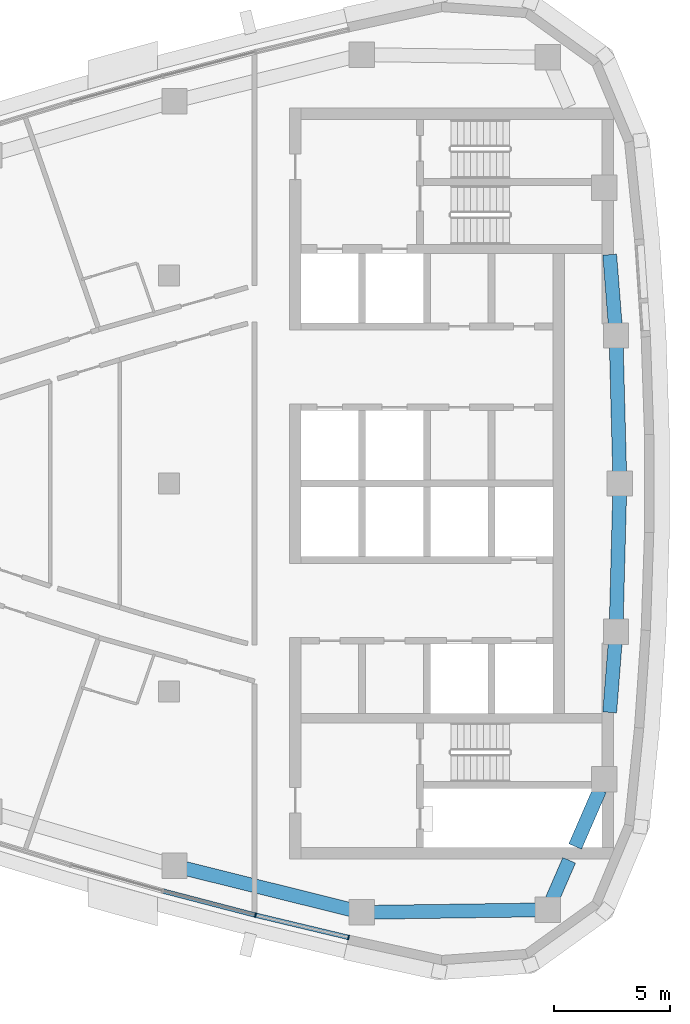
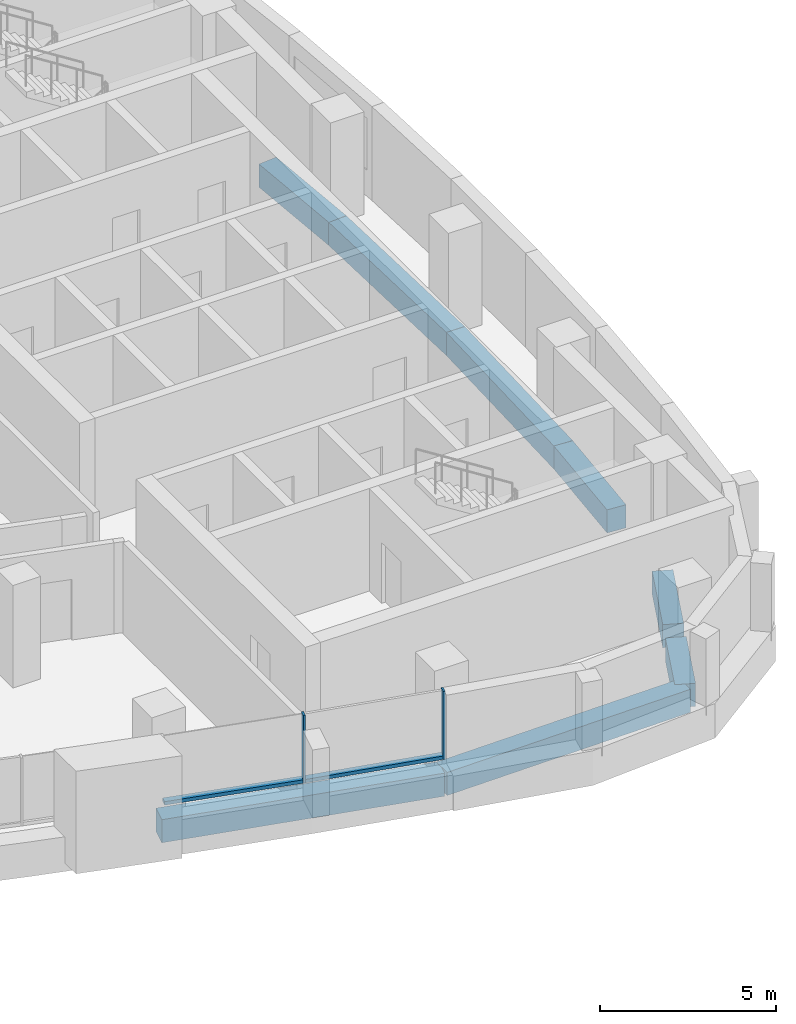
# One storey, part 4 of 14: 8 beams, 4 members, 1 element without a shape of its own.
"""IFC4 building model written with IfcOpenShell, lengths in metres."""

from ifc_helpers import new_model, si_unit, direction, frame, origin, origin_2d, place, context, subcontext, project, spatial, rectangle, extrude, material, layer, layer_set, material_profile, profile_set, type_object, element, aggregate, save


model = new_model("IFC4")

# Units and contexts
model_context = context("Model", 3, precision=1e-05, world=origin(), true_north=direction((0.0, 1.0)))
body_context = subcontext(model_context, "Body", "Model", "MODEL_VIEW")
ifc_project = project(units=[si_unit("LENGTHUNIT", "METRE"), si_unit("AREAUNIT", "SQUARE_METRE"), si_unit("VOLUMEUNIT", "CUBIC_METRE"), si_unit("PLANEANGLEUNIT", "RADIAN"), si_unit("MASSUNIT", "GRAM", prefix="KILO")], contexts=[model_context])

# Site, building, storey
site_placement = place(None, origin())
site = spatial("IfcSite", under=ifc_project, at=site_placement, CompositionType="ELEMENT")
building_placement = place(site_placement, origin())
building = spatial("IfcBuilding", under=site, at=building_placement, Name="Ostrand Prow Hotel Tower", CompositionType="ELEMENT")
storey_placement = place(building_placement, frame((0.0, 0.0, 299.85009765625)))
storey = spatial("IfcBuildingStorey", under=building, at=storey_placement, Name="L76", CompositionType="ELEMENT", Elevation=299.85009765625)

# Beams
ifc_material_1 = material(Name="Concrete C50/60", Category="concrete")
ifc_material_profile_1 = material_profile(ifc_material_1, rectangle(XDim=0.60009765625, YDim=0.800048828125, at=origin_2d()), Name="RC 600x800")
ifc_profile_set_1 = profile_set([ifc_material_profile_1], Name="Concrete C50/60")
beam_type = type_object("IfcBeamType", Name="Edge beam 600x800 C50/60", PredefinedType="SPANDREL", material=ifc_profile_set_1)
beam_1_placement = place(storey_placement, frame((45.234619140625, -16.53857421875, -0.7001953125), z_axis=(0.970456465292, -0.241276291775, 0.0), x_axis=(0.241276291775, 0.970456465292, 0.0)))
element("IfcBeam", 1, at=beam_1_placement, inside=storey, type_object=beam_type, Name="Edge beam S5-S6", PredefinedType="SPANDREL", context=body_context, shape_type="SweptSolid", body=[
    extrude(rectangle(XDim=0.60009765625, YDim=0.800048828125, at=origin_2d()), origin(), (0.0, 0.0, 1.0), 8.348876953125),
])
beam_2_placement = place(storey_placement, frame((53.3369140625, -18.552978515625, -0.7001953125), z_axis=(0.999900689486, 0.014092947356, 0.0), x_axis=(-0.014092947356, 0.999900689486, 0.0)))
element("IfcBeam", 2, at=beam_2_placement, inside=storey, type_object=beam_type, Name="Edge beam S6-SE", PredefinedType="SPANDREL", context=body_context, shape_type="SweptSolid", body=[
    extrude(rectangle(XDim=0.60009765625, YDim=0.800048828125, at=origin_2d()), origin(), (0.0, 0.0, 1.0), 8.0380859375),
])
beam_3_placement = place(storey_placement, frame((61.374267578125, -18.439697265625, -0.7001953125), z_axis=(0.398863844187, 0.91701016014, 0.0), x_axis=(-0.91701016014, 0.398863844187, 0.0)))
element("IfcBeam", 3, at=beam_3_placement, inside=storey, type_object=beam_type, Name="Edge beam SE-B1", PredefinedType="SPANDREL", context=body_context, shape_type="SweptSolid", body=[
    extrude(rectangle(XDim=0.60009765625, YDim=0.800048828125, at=origin_2d()), origin(), (0.0, 0.0, 1.0), 2.333251953125),
])
beam_4_placement = place(storey_placement, frame((62.56591796875, -15.699951171875, -0.7001953125), z_axis=(0.398799624102, 0.917038090712, 0.0), x_axis=(-0.917038090712, 0.398799624102, 0.0)))
element("IfcBeam", 4, at=beam_4_placement, inside=storey, type_object=beam_type, Name="Edge beam SE-B1", PredefinedType="SPANDREL", context=body_context, shape_type="SweptSolid", body=[
    extrude(rectangle(XDim=0.60009765625, YDim=0.800048828125, at=origin_2d()), origin(), (0.0, 0.0, 1.0), 2.671630859375),
])
beam_5_placement = place(storey_placement, frame((64.058349609375, -9.89990234375, -0.7001953125), z_axis=(0.078240080308, 0.996934546414, 0.0), x_axis=(-0.996934546414, 0.078240080308, 0.0)))
element("IfcBeam", 5, at=beam_5_placement, inside=storey, type_object=beam_type, Name="Edge beam B1-B2", PredefinedType="SPANDREL", context=body_context, shape_type="SweptSolid", body=[
    extrude(rectangle(XDim=0.60009765625, YDim=0.800048828125, at=origin_2d()), origin(), (0.0, 0.0, 1.0), 3.50732421875),
])
for number, where, z_axis, x_axis, name in (
    (6, (64.332763671875, -6.4033203125, -0.7001953125), (0.026108223987, 0.999659122221, 0.0), (-0.999659122221, 0.026108223987, 0.0), "Edge beam B2-B3"),
    (7, (64.5, 0.0, -0.7001953125), (-0.026108223987, 0.999659122221, 0.0), (-0.999659122221, -0.026108223987, 0.0), "Edge beam B3-B4"),
):
    element("IfcBeam", number, at=place(storey_placement, frame(where, z_axis=z_axis, x_axis=x_axis)), inside=storey, type_object=beam_type, Name=name, PredefinedType="SPANDREL", context=body_context, shape_type="SweptSolid", body=[
        extrude(rectangle(XDim=0.60009765625, YDim=0.800048828125, at=origin_2d()), origin(), (0.0, 0.0, 1.0), 6.405517578125),
    ])
beam_6_placement = place(storey_placement, frame((64.332763671875, 6.4033203125, -0.7001953125), z_axis=(-0.078240080308, 0.996934546414, 0.0), x_axis=(-0.996934546414, -0.078240080308, 0.0)))
element("IfcBeam", 8, at=beam_6_placement, inside=storey, type_object=beam_type, Name="Edge beam B4-B5", PredefinedType="SPANDREL", context=body_context, shape_type="SweptSolid", body=[
    extrude(rectangle(XDim=0.60009765625, YDim=0.800048828125, at=origin_2d()), origin(), (0.0, 0.0, 1.0), 3.50732421875),
])

# Curtain wall, members
ifc_material_2 = material(Name="Insulated glass in bronze anodised frame", Category="glass")
ifc_layer = layer(ifc_material_2, 0.199951171875)
ifc_layer_set = layer_set([ifc_layer], Name="Insulated glass in bronze anodised frame")
curtain_wall_type = type_object("IfcCurtainWallType", Name="Strip curtain wall, fritted glass over bronze spandrel", PredefinedType="NOTDEFINED", material=ifc_layer_set)
curtain_wall_placement = place(storey_placement, origin())
curtain_wall = element("IfcCurtainWall", 9, at=curtain_wall_placement, inside=storey, type_object=curtain_wall_type, Name="CW1 run CWS5", PredefinedType="NOTDEFINED")
ifc_material_3 = material(Name="Bronze anodised aluminium", Category="aluminium")
ifc_material_profile_2 = material_profile(ifc_material_3, rectangle(XDim=0.199951171875, YDim=0.06005859375, at=origin_2d()), Name="Mullion 60x200 bronze anodised aluminium")
ifc_profile_set_2 = profile_set([ifc_material_profile_2], Name="Bronze anodised aluminium")
member_type_1 = type_object("IfcMemberType", Name="Mullion 60x200 bronze anodised aluminium", PredefinedType="MULLION", material=ifc_profile_set_2)
member_1_placement = place(storey_placement, frame((48.734619140625, -18.6708984375, 0.89990234375), z_axis=(0.0, 0.0, 1.0), x_axis=(0.232746096028, 0.972537533869, 0.0)))
member_1 = element("IfcMember", 10, at=member_1_placement, type_object=member_type_1, Name="CW1 mullion 2", PredefinedType="MULLION", context=body_context, shape_type="SweptSolid", body=[
    extrude(rectangle(XDim=0.199951171875, YDim=0.06005859375, at=origin_2d()), origin(), (0.0, 0.0, 1.0), 2.35009765625),
])
member_2_placement = place(storey_placement, frame((52.7607421875, -19.634521484375, 0.89990234375), z_axis=(0.0, 0.0, 1.0), x_axis=(0.232746096028, 0.972537533869, 0.0)))
member_2 = element("IfcMember", 11, at=member_2_placement, type_object=member_type_1, Name="CW1 mullion 3", PredefinedType="MULLION", context=body_context, shape_type="SweptSolid", body=[
    extrude(rectangle(XDim=0.199951171875, YDim=0.06005859375, at=origin_2d()), origin(), (0.0, 0.0, 1.0), 2.35009765625),
])
ifc_material_4 = material(Name="Bronze anodised aluminium", Category="aluminium")
ifc_material_profile_3 = material_profile(ifc_material_4, rectangle(XDim=0.199951171875, YDim=0.1201171875, at=origin_2d()), Name="Transom 120x200 bronze anodised aluminium")
ifc_profile_set_3 = profile_set([ifc_material_profile_3], Name="Bronze anodised aluminium")
member_type_2 = type_object("IfcMemberType", Name="Transom 120x200 bronze anodised aluminium", PredefinedType="USERDEFINED", material=ifc_profile_set_3)
member_3_placement = place(storey_placement, frame((44.7578125, -17.63427734375, 0.9599609375), z_axis=(0.967664917891, -0.252239185461, 0.0), x_axis=(0.252239185461, 0.967664917891, 0.0)))
member_3 = element("IfcMember", 12, at=member_3_placement, type_object=member_type_2, Name="CW1 transom 1.1", ObjectType="TRANSOM", PredefinedType="USERDEFINED", context=body_context, shape_type="SweptSolid", body=[
    extrude(rectangle(XDim=0.199951171875, YDim=0.1201171875, at=origin_2d()), origin(), (0.0, 0.0, 1.0), 4.07958984375),
])
member_4_placement = place(storey_placement, frame((48.763671875, -18.677978515625, 0.9599609375), z_axis=(0.972542980558, -0.232723335675, 0.0), x_axis=(0.232723335675, 0.972542980558, 0.0)))
member_4 = element("IfcMember", 13, at=member_4_placement, type_object=member_type_2, Name="CW1 transom 2.1", ObjectType="TRANSOM", PredefinedType="USERDEFINED", context=body_context, shape_type="SweptSolid", body=[
    extrude(rectangle(XDim=0.199951171875, YDim=0.1201171875, at=origin_2d()), origin(), (0.0, 0.0, 1.0), 4.079833984375),
])
aggregate(curtain_wall, [member_1, member_2, member_3, member_4])

save(model, "model.ifc")
